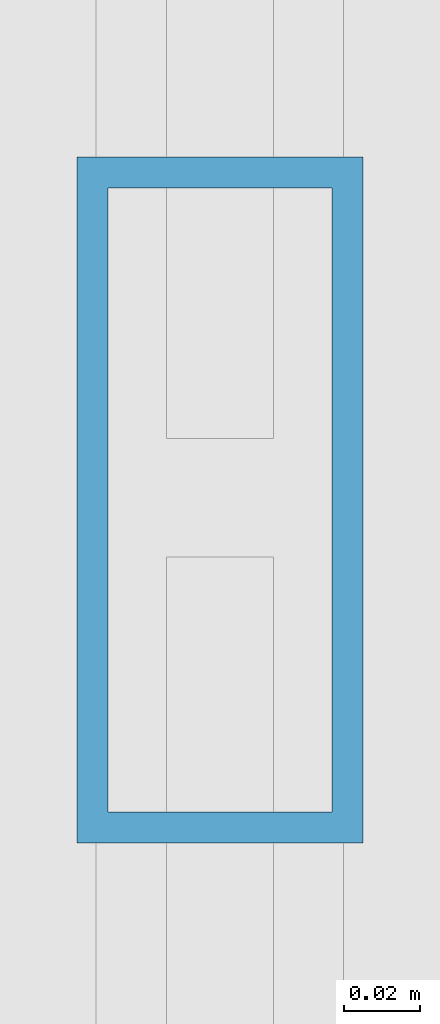
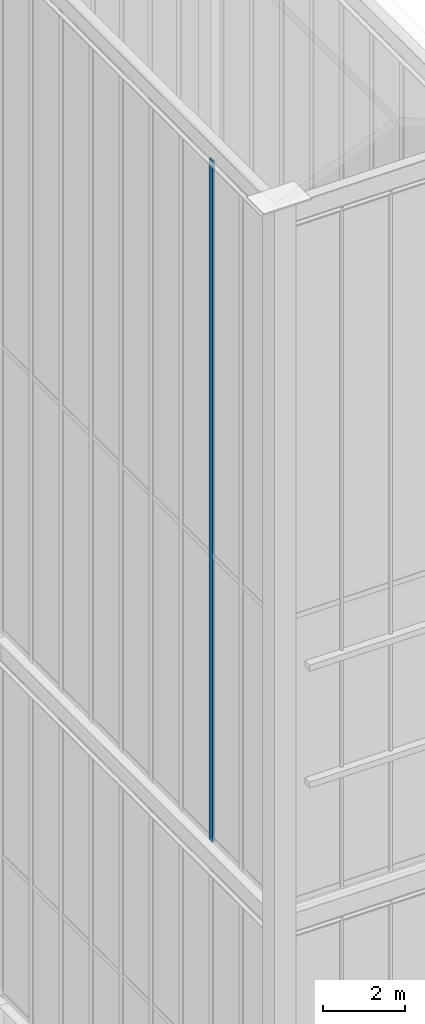
# One storey, part 40 of 135: 1 member, 1 element without a shape of its own.
"""IFC4 building model written with IfcOpenShell, lengths in metres."""

from ifc_helpers import new_model, si_unit, direction, frame, origin, origin_2d, place, context, subcontext, project, spatial, hollow_rectangle, extrude, source, transform, mapped, material, layer, layer_set, material_profile, profile_set, type_object, element, aggregate, save


model = new_model("IFC4")

# Units and contexts
model_context = context("Model", 3, precision=1e-05, world=origin(), true_north=direction((0.0, 1.0)))
body_context = subcontext(model_context, "Body", "Model", "MODEL_VIEW")
ifc_project = project(units=[si_unit("LENGTHUNIT", "METRE"), si_unit("AREAUNIT", "SQUARE_METRE"), si_unit("VOLUMEUNIT", "CUBIC_METRE"), si_unit("PLANEANGLEUNIT", "RADIAN"), si_unit("MASSUNIT", "GRAM", prefix="KILO")], contexts=[model_context])

# Site, building, storey
site_placement = place(None, origin())
site = spatial("IfcSite", under=ifc_project, at=site_placement, CompositionType="ELEMENT")
building_placement = place(site_placement, origin())
building = spatial("IfcBuilding", under=site, at=building_placement, Name="Giltprow Tower", CompositionType="ELEMENT")
storey_placement = place(building_placement, frame((0.0, 0.0, 352.699951171875)))
storey = spatial("IfcBuildingStorey", under=building, at=storey_placement, Name="L92", CompositionType="ELEMENT", Elevation=352.699951171875)

# Curtain wall, member
ifc_material = material(Name="Anodized bronze", Category="metal")
ifc_layer = layer(ifc_material, 0.179931640625, Name="Anodized bronze")
ifc_layer_set = layer_set([ifc_layer], Name="Anodized bronze")
curtain_wall_type = type_object("IfcCurtainWallType", Name="CW-CROWN-LANTERN", PredefinedType="NOTDEFINED", material=ifc_layer_set)
curtain_wall_placement = place(storey_placement, origin())
curtain_wall = element("IfcCurtainWall", 1, at=curtain_wall_placement, inside=storey, type_object=curtain_wall_type, Name="Crown East Upper Lantern Glazing 6", PredefinedType="NOTDEFINED")
ifc_material_profile = material_profile(ifc_material, hollow_rectangle(XDim=0.074951171875, YDim=0.179931640625, WallThickness=0.008056640625, at=origin_2d()), Name="RHS 180x75x8")
ifc_profile_set = profile_set([ifc_material_profile], Name="Anodized bronze")
member_type = type_object("IfcMemberType", Name="CW-MULLION-180x75", PredefinedType="MULLION", material=ifc_profile_set)
shared_shape = source(origin(), body_context, "Body", "SweptSolid", [
    extrude(hollow_rectangle(XDim=0.074951171875, YDim=0.179931640625, WallThickness=0.008056640625, at=origin_2d()), origin(), (0.0, 0.0, 1.0), 20.406005859375),
])
member_placement = place(storey_placement, frame((44.300048828125, 26.7939453125, 17.25), z_axis=(0.0, 0.0, 1.0), x_axis=(1.0, 0.0, 0.0)))
member = element("IfcMember", 2, at=member_placement, type_object=member_type, Name="Crown East Upper Lantern Glazing 6 Mullion 8", PredefinedType="MULLION", context=body_context, shape_type="MappedRepresentation", body=[
    mapped(shared_shape, transform((0.0, 0.0, 0.0), x_axis=(1.0, 0.0, 0.0), y_axis=(0.0, 1.0, 0.0), z_axis=(0.0, 0.0, 1.0), scale=1.0)),
])
aggregate(curtain_wall, [member])

save(model, "model.ifc")
